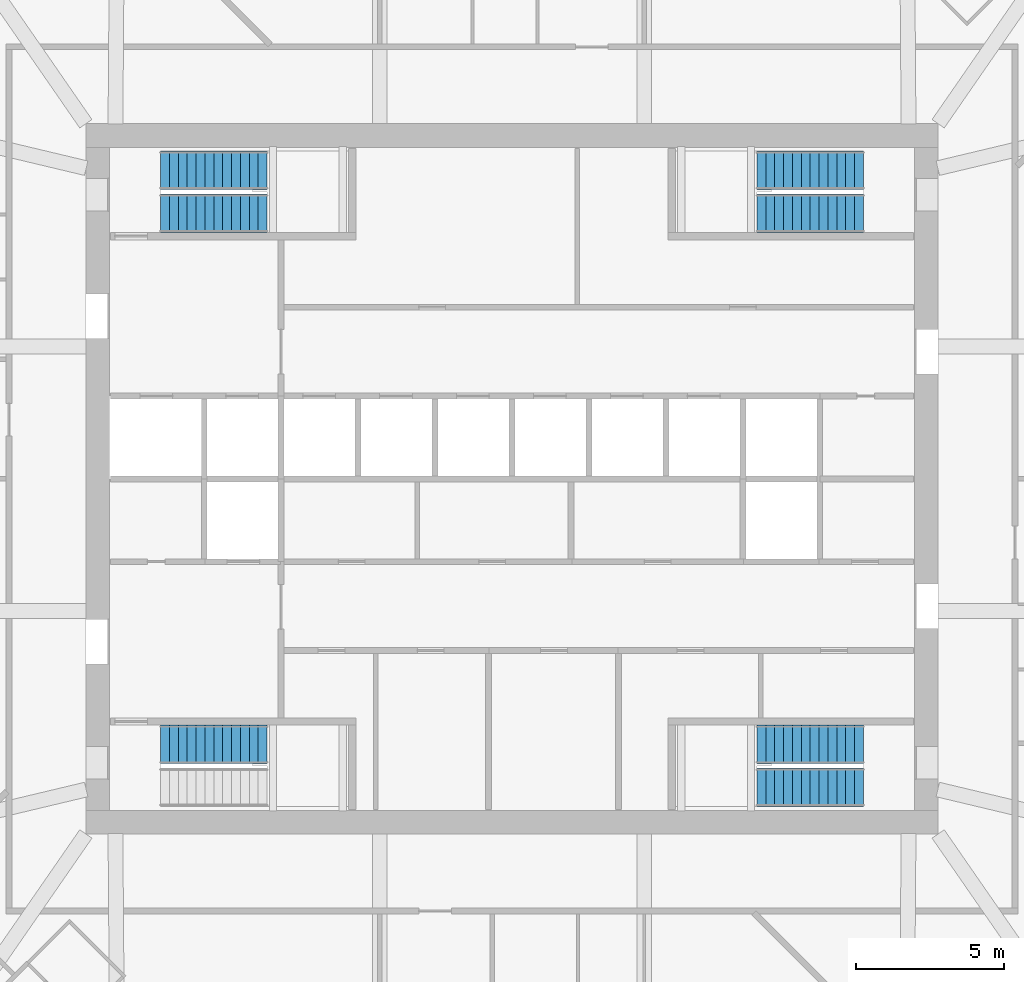
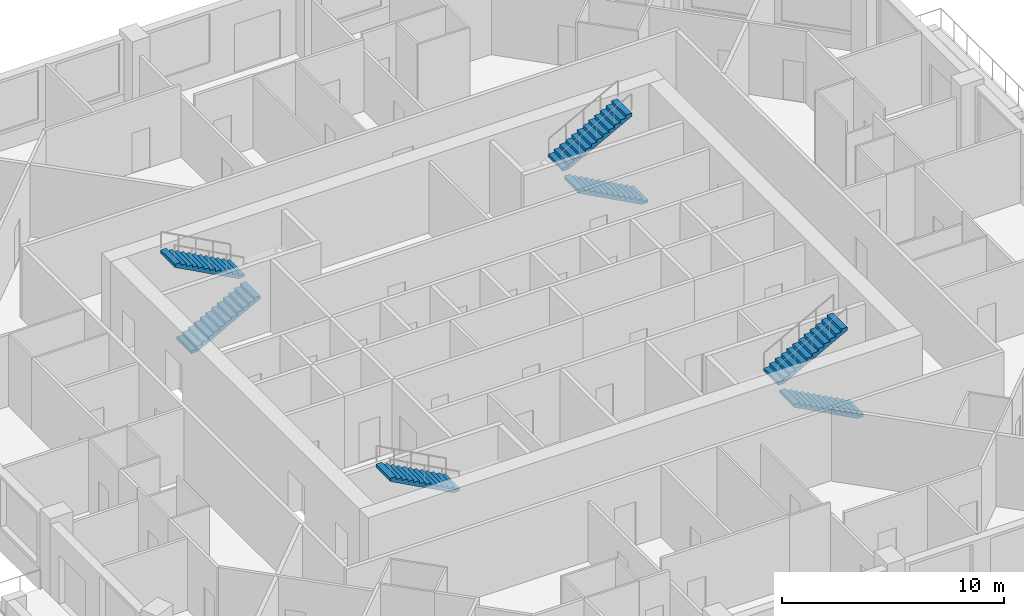
# One storey, part 11 of 13: 7 stair flights, 4 elements without a shape of their own.
"""IFC4 building model written with IfcOpenShell, lengths in metres."""

from ifc_helpers import new_model, si_unit, direction, frame, origin, place, context, subcontext, project, spatial, polyline, outline, extrude, material, type_object, element, aggregate, save


model = new_model("IFC4")

# Units and contexts
model_context = context("Model", 3, precision=1e-05, world=origin(), true_north=direction((0.0, 1.0)))
body_context = subcontext(model_context, "Body", "Model", "MODEL_VIEW")
ifc_project = project(units=[si_unit("LENGTHUNIT", "METRE"), si_unit("AREAUNIT", "SQUARE_METRE"), si_unit("VOLUMEUNIT", "CUBIC_METRE"), si_unit("PLANEANGLEUNIT", "RADIAN"), si_unit("MASSUNIT", "GRAM", prefix="KILO")], contexts=[model_context])

# Site, building, storey
site_placement = place(None, origin())
site = spatial("IfcSite", under=ifc_project, at=site_placement, CompositionType="ELEMENT")
building_placement = place(site_placement, origin())
building = spatial("IfcBuilding", under=site, at=building_placement, Name="Msitu Wima Residences", CompositionType="ELEMENT")
storey_placement = place(building_placement, frame((0.0, 0.0, 131.699951171875)))
storey = spatial("IfcBuildingStorey", under=building, at=storey_placement, Name="L30", CompositionType="ELEMENT", Elevation=131.699951171875)

# Stair, stair flights
ifc_material = material(Name="Concrete C40/50", Category="concrete")
stair_type = type_object("IfcStairType", Name="Exit stair ES1615-130", PredefinedType="HALF_TURN_STAIR", material=ifc_material)
stair_1_placement = place(storey_placement, origin())
stair_1 = element("IfcStair", 1, at=stair_1_placement, inside=storey, type_object=stair_type, Name="Exit stair 1", PredefinedType="HALF_TURN_STAIR")
stair_flight_type = type_object("IfcStairFlightType", Name="Exit stair flight ES1615-130", PredefinedType="STRAIGHT", material=ifc_material)
stair_flight_1_placement = place(storey_placement, frame((-11.875, 8.97509765625, 0.0), z_axis=(0.0, 0.0, 1.0), x_axis=(1.0, 0.0, 0.0)))
stair_flight_1 = element("IfcStairFlight", 2, at=stair_flight_1_placement, type_object=stair_flight_type, Name="S1 flight 1", NumberOfRisers=13, NumberOfTreads=12, PredefinedType="STRAIGHT", RiserHeight=0.161538462, TreadLength=0.3, context=body_context, shape_type="SweptSolid", body=[
    extrude(outline(polyline([(0.0, 0.0), (0.0, 0.16162109375), (0.300048828125, 0.16162109375), (0.300048828125, 0.322998046875), (0.60009765625, 0.322998046875), (0.60009765625, 0.484619140625), (0.89990234375, 0.484619140625), (0.89990234375, 0.646240234375), (1.199951171875, 0.646240234375), (1.199951171875, 0.8076171875), (1.5, 0.8076171875), (1.5, 0.96923828125), (1.800048828125, 0.96923828125), (1.800048828125, 1.130859375), (2.10009765625, 1.130859375), (2.10009765625, 1.292236328125), (2.39990234375, 1.292236328125), (2.39990234375, 1.453857421875), (2.699951171875, 1.453857421875), (2.699951171875, 1.615478515625), (3.0, 1.615478515625), (3.0, 1.77685546875), (3.300048828125, 1.77685546875), (3.300048828125, 1.9384765625), (3.60009765625, 1.9384765625), (3.60009765625, 2.10009765625), (3.60009765625, 1.768310546875), (0.316162109375, 0.0), (0.0, 0.0)])), frame((0.0, 0.64990234375, 0.0), z_axis=(0.0, -1.0, 0.0), x_axis=(1.0, 0.0, 0.0)), (0.0, 0.0, 1.0), 1.300048828125),
])
stair_flight_2_placement = place(storey_placement, frame((-8.27490234375, 10.425048828125, 2.10009765625), z_axis=(0.0, 0.0, 1.0), x_axis=(-1.0, 0.0, 0.0)))
stair_flight_2 = element("IfcStairFlight", 3, at=stair_flight_2_placement, type_object=stair_flight_type, Name="S1 flight 2", NumberOfRisers=13, NumberOfTreads=12, PredefinedType="STRAIGHT", RiserHeight=0.161538462, TreadLength=0.3, context=body_context, shape_type="SweptSolid", body=[
    extrude(outline(polyline([(0.0, 0.0), (0.0, 0.16162109375), (0.300048828125, 0.16162109375), (0.300048828125, 0.322998046875), (0.60009765625, 0.322998046875), (0.60009765625, 0.484619140625), (0.89990234375, 0.484619140625), (0.89990234375, 0.646240234375), (1.199951171875, 0.646240234375), (1.199951171875, 0.8076171875), (1.5, 0.8076171875), (1.5, 0.96923828125), (1.800048828125, 0.96923828125), (1.800048828125, 1.130859375), (2.10009765625, 1.130859375), (2.10009765625, 1.292236328125), (2.39990234375, 1.292236328125), (2.39990234375, 1.453857421875), (2.699951171875, 1.453857421875), (2.699951171875, 1.615478515625), (3.0, 1.615478515625), (3.0, 1.77685546875), (3.300048828125, 1.77685546875), (3.300048828125, 1.9384765625), (3.60009765625, 1.9384765625), (3.60009765625, 2.10009765625), (3.60009765625, 1.768310546875), (0.316162109375, 0.0), (0.0, 0.0)])), frame((0.0, 0.64990234375, 0.0), z_axis=(0.0, -1.0, 0.0), x_axis=(1.0, 0.0, 0.0)), (0.0, 0.0, 1.0), 1.300048828125),
])
aggregate(stair_1, [stair_flight_1, stair_flight_2])

# Stair, stair flight
stair_2_placement = place(storey_placement, origin())
stair_2 = element("IfcStair", 4, at=stair_2_placement, inside=storey, type_object=stair_type, Name="Exit stair 2", PredefinedType="HALF_TURN_STAIR")
stair_flight_3_placement = place(storey_placement, frame((-8.27490234375, -8.97509765625, 2.10009765625), z_axis=(0.0, 0.0, 1.0), x_axis=(-1.0, 0.0, 0.0)))
stair_flight_3 = element("IfcStairFlight", 5, at=stair_flight_3_placement, type_object=stair_flight_type, Name="S2 flight 2", NumberOfRisers=13, NumberOfTreads=12, PredefinedType="STRAIGHT", RiserHeight=0.161538462, TreadLength=0.3, context=body_context, shape_type="SweptSolid", body=[
    extrude(outline(polyline([(0.0, 0.0), (0.0, 0.16162109375), (0.300048828125, 0.16162109375), (0.300048828125, 0.322998046875), (0.60009765625, 0.322998046875), (0.60009765625, 0.484619140625), (0.89990234375, 0.484619140625), (0.89990234375, 0.646240234375), (1.199951171875, 0.646240234375), (1.199951171875, 0.8076171875), (1.5, 0.8076171875), (1.5, 0.96923828125), (1.800048828125, 0.96923828125), (1.800048828125, 1.130859375), (2.10009765625, 1.130859375), (2.10009765625, 1.292236328125), (2.39990234375, 1.292236328125), (2.39990234375, 1.453857421875), (2.699951171875, 1.453857421875), (2.699951171875, 1.615478515625), (3.0, 1.615478515625), (3.0, 1.77685546875), (3.300048828125, 1.77685546875), (3.300048828125, 1.9384765625), (3.60009765625, 1.9384765625), (3.60009765625, 2.10009765625), (3.60009765625, 1.768310546875), (0.316162109375, 0.0), (0.0, 0.0)])), frame((0.0, 0.64990234375, 0.0), z_axis=(0.0, -1.0, 0.0), x_axis=(1.0, 0.0, 0.0)), (0.0, 0.0, 1.0), 1.300048828125),
])
aggregate(stair_2, [stair_flight_3])

# Stair, stair flights
stair_3_placement = place(storey_placement, origin())
stair_3 = element("IfcStair", 6, at=stair_3_placement, inside=storey, type_object=stair_type, Name="Exit stair 3", PredefinedType="HALF_TURN_STAIR")
stair_flight_4_placement = place(storey_placement, frame((11.875, 8.97509765625, 0.0), z_axis=(0.0, 0.0, 1.0), x_axis=(-1.0, 0.0, 0.0)))
stair_flight_4 = element("IfcStairFlight", 7, at=stair_flight_4_placement, type_object=stair_flight_type, Name="S3 flight 1", NumberOfRisers=13, NumberOfTreads=12, PredefinedType="STRAIGHT", RiserHeight=0.161538462, TreadLength=0.3, context=body_context, shape_type="SweptSolid", body=[
    extrude(outline(polyline([(0.0, 0.0), (0.0, 0.16162109375), (0.300048828125, 0.16162109375), (0.300048828125, 0.322998046875), (0.60009765625, 0.322998046875), (0.60009765625, 0.484619140625), (0.89990234375, 0.484619140625), (0.89990234375, 0.646240234375), (1.199951171875, 0.646240234375), (1.199951171875, 0.8076171875), (1.5, 0.8076171875), (1.5, 0.96923828125), (1.800048828125, 0.96923828125), (1.800048828125, 1.130859375), (2.10009765625, 1.130859375), (2.10009765625, 1.292236328125), (2.39990234375, 1.292236328125), (2.39990234375, 1.453857421875), (2.699951171875, 1.453857421875), (2.699951171875, 1.615478515625), (3.0, 1.615478515625), (3.0, 1.77685546875), (3.300048828125, 1.77685546875), (3.300048828125, 1.9384765625), (3.60009765625, 1.9384765625), (3.60009765625, 2.10009765625), (3.60009765625, 1.768310546875), (0.316162109375, 0.0), (0.0, 0.0)])), frame((0.0, 0.64990234375, 0.0), z_axis=(0.0, -1.0, 0.0), x_axis=(1.0, 0.0, 0.0)), (0.0, 0.0, 1.0), 1.300048828125),
])
stair_flight_5_placement = place(storey_placement, frame((8.27490234375, 10.425048828125, 2.10009765625), z_axis=(0.0, 0.0, 1.0), x_axis=(1.0, 0.0, 0.0)))
stair_flight_5 = element("IfcStairFlight", 8, at=stair_flight_5_placement, type_object=stair_flight_type, Name="S3 flight 2", NumberOfRisers=13, NumberOfTreads=12, PredefinedType="STRAIGHT", RiserHeight=0.161538462, TreadLength=0.3, context=body_context, shape_type="SweptSolid", body=[
    extrude(outline(polyline([(0.0, 0.0), (0.0, 0.16162109375), (0.300048828125, 0.16162109375), (0.300048828125, 0.322998046875), (0.60009765625, 0.322998046875), (0.60009765625, 0.484619140625), (0.89990234375, 0.484619140625), (0.89990234375, 0.646240234375), (1.199951171875, 0.646240234375), (1.199951171875, 0.8076171875), (1.5, 0.8076171875), (1.5, 0.96923828125), (1.800048828125, 0.96923828125), (1.800048828125, 1.130859375), (2.10009765625, 1.130859375), (2.10009765625, 1.292236328125), (2.39990234375, 1.292236328125), (2.39990234375, 1.453857421875), (2.699951171875, 1.453857421875), (2.699951171875, 1.615478515625), (3.0, 1.615478515625), (3.0, 1.77685546875), (3.300048828125, 1.77685546875), (3.300048828125, 1.9384765625), (3.60009765625, 1.9384765625), (3.60009765625, 2.10009765625), (3.60009765625, 1.768310546875), (0.316162109375, 0.0), (0.0, 0.0)])), frame((0.0, 0.64990234375, 0.0), z_axis=(0.0, -1.0, 0.0), x_axis=(1.0, 0.0, 0.0)), (0.0, 0.0, 1.0), 1.300048828125),
])
aggregate(stair_3, [stair_flight_4, stair_flight_5])

stair_4_placement = place(storey_placement, origin())
stair_4 = element("IfcStair", 9, at=stair_4_placement, inside=storey, type_object=stair_type, Name="Exit stair 4", PredefinedType="HALF_TURN_STAIR")
stair_flight_6_placement = place(storey_placement, frame((11.875, -10.425048828125, 0.0), z_axis=(0.0, 0.0, 1.0), x_axis=(-1.0, 0.0, 0.0)))
stair_flight_6 = element("IfcStairFlight", 10, at=stair_flight_6_placement, type_object=stair_flight_type, Name="S4 flight 1", NumberOfRisers=13, NumberOfTreads=12, PredefinedType="STRAIGHT", RiserHeight=0.161538462, TreadLength=0.3, context=body_context, shape_type="SweptSolid", body=[
    extrude(outline(polyline([(0.0, 0.0), (0.0, 0.16162109375), (0.300048828125, 0.16162109375), (0.300048828125, 0.322998046875), (0.60009765625, 0.322998046875), (0.60009765625, 0.484619140625), (0.89990234375, 0.484619140625), (0.89990234375, 0.646240234375), (1.199951171875, 0.646240234375), (1.199951171875, 0.8076171875), (1.5, 0.8076171875), (1.5, 0.96923828125), (1.800048828125, 0.96923828125), (1.800048828125, 1.130859375), (2.10009765625, 1.130859375), (2.10009765625, 1.292236328125), (2.39990234375, 1.292236328125), (2.39990234375, 1.453857421875), (2.699951171875, 1.453857421875), (2.699951171875, 1.615478515625), (3.0, 1.615478515625), (3.0, 1.77685546875), (3.300048828125, 1.77685546875), (3.300048828125, 1.9384765625), (3.60009765625, 1.9384765625), (3.60009765625, 2.10009765625), (3.60009765625, 1.768310546875), (0.316162109375, 0.0), (0.0, 0.0)])), frame((0.0, 0.64990234375, 0.0), z_axis=(0.0, -1.0, 0.0), x_axis=(1.0, 0.0, 0.0)), (0.0, 0.0, 1.0), 1.300048828125),
])
stair_flight_7_placement = place(storey_placement, frame((8.27490234375, -8.97509765625, 2.10009765625), z_axis=(0.0, 0.0, 1.0), x_axis=(1.0, 0.0, 0.0)))
stair_flight_7 = element("IfcStairFlight", 11, at=stair_flight_7_placement, type_object=stair_flight_type, Name="S4 flight 2", NumberOfRisers=13, NumberOfTreads=12, PredefinedType="STRAIGHT", RiserHeight=0.161538462, TreadLength=0.3, context=body_context, shape_type="SweptSolid", body=[
    extrude(outline(polyline([(0.0, 0.0), (0.0, 0.16162109375), (0.300048828125, 0.16162109375), (0.300048828125, 0.322998046875), (0.60009765625, 0.322998046875), (0.60009765625, 0.484619140625), (0.89990234375, 0.484619140625), (0.89990234375, 0.646240234375), (1.199951171875, 0.646240234375), (1.199951171875, 0.8076171875), (1.5, 0.8076171875), (1.5, 0.96923828125), (1.800048828125, 0.96923828125), (1.800048828125, 1.130859375), (2.10009765625, 1.130859375), (2.10009765625, 1.292236328125), (2.39990234375, 1.292236328125), (2.39990234375, 1.453857421875), (2.699951171875, 1.453857421875), (2.699951171875, 1.615478515625), (3.0, 1.615478515625), (3.0, 1.77685546875), (3.300048828125, 1.77685546875), (3.300048828125, 1.9384765625), (3.60009765625, 1.9384765625), (3.60009765625, 2.10009765625), (3.60009765625, 1.768310546875), (0.316162109375, 0.0), (0.0, 0.0)])), frame((0.0, 0.64990234375, 0.0), z_axis=(0.0, -1.0, 0.0), x_axis=(1.0, 0.0, 0.0)), (0.0, 0.0, 1.0), 1.300048828125),
])
aggregate(stair_4, [stair_flight_6, stair_flight_7])

save(model, "model.ifc")
